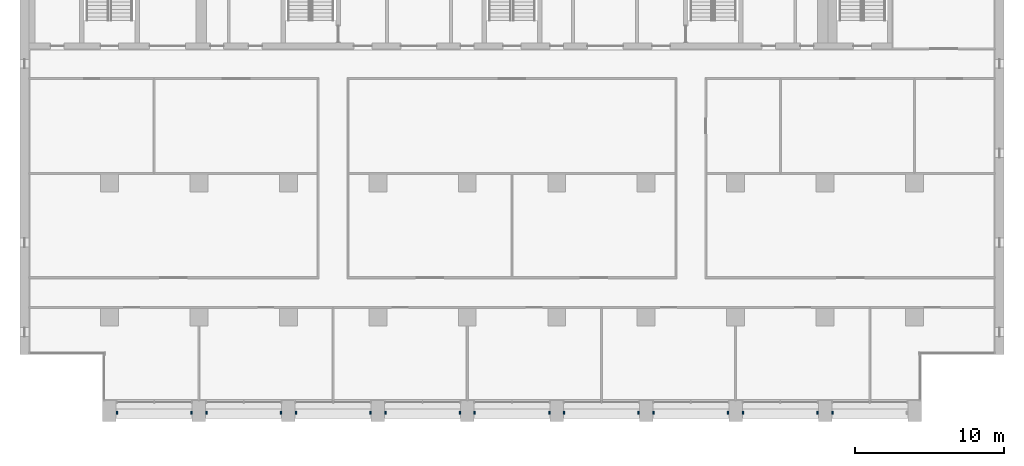
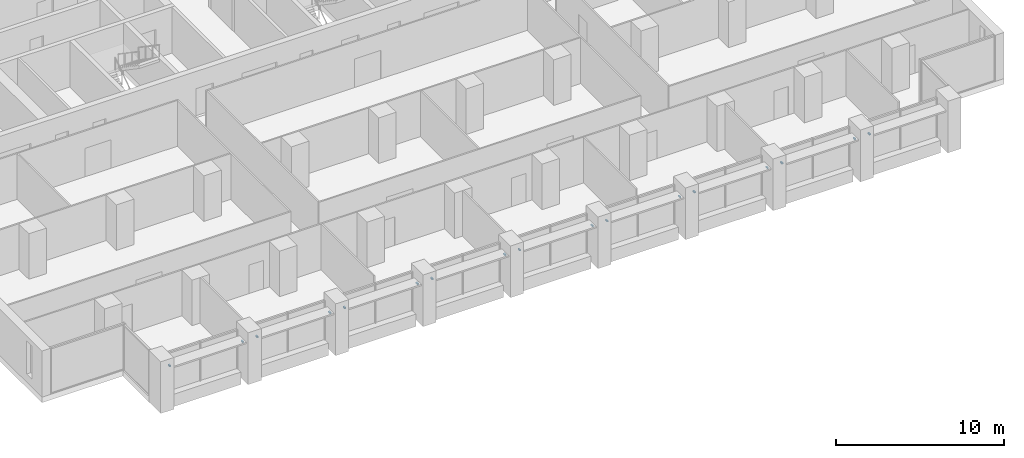
# One storey, part 14 of 17: 17 discrete accessories.
"""IFC4 building model written with IfcOpenShell, lengths in metres."""

from ifc_helpers import new_model, si_unit, direction, frame, origin, origin_2d, place, context, subcontext, project, spatial, rectangle, extrude, element, save


model = new_model("IFC4")

# Units and contexts
model_context = context("Model", 3, precision=1e-05, world=origin(), true_north=direction((0.0, 1.0)))
body_context = subcontext(model_context, "Body", "Model", "MODEL_VIEW")
ifc_project = project(units=[si_unit("LENGTHUNIT", "METRE"), si_unit("AREAUNIT", "SQUARE_METRE"), si_unit("VOLUMEUNIT", "CUBIC_METRE"), si_unit("PLANEANGLEUNIT", "RADIAN"), si_unit("MASSUNIT", "GRAM", prefix="KILO")], contexts=[model_context])

# Site, building, storey
site_placement = place(None, origin())
site = spatial("IfcSite", under=ifc_project, at=site_placement, CompositionType="ELEMENT")
building_placement = place(site_placement, origin())
building = spatial("IfcBuilding", under=site, at=building_placement, Name="Calvaro Tower", CompositionType="ELEMENT")
storey_placement = place(building_placement, frame((0.0, 0.0, 174.25)))
storey = spatial("IfcBuildingStorey", under=building, at=storey_placement, Name="L43", CompositionType="ELEMENT", Elevation=174.25)

# Discrete accessories
for number, where, z_axis, x_axis, name in (
    (1, (12.5, 3.60009765625, 2.349853515625), (0.0, 0.0, 1.0), (1.0, 0.0, 0.0), "Brise-soleil bracket"),
    (2, (17.5, 3.60009765625, 2.349853515625), (0.0, 0.0, 1.0), (1.0, 0.0, 0.0), "Brise-soleil bracket"),
    (3, (18.5, 3.60009765625, 2.349853515625), (0.0, 0.0, 1.0), (1.0, 0.0, 0.0), "Brise-soleil bracket"),
    (4, (23.5, 3.60009765625, 2.349853515625), (0.0, 0.0, 1.0), (1.0, 0.0, 0.0), "Brise-soleil bracket"),
    (5, (24.5, 3.60009765625, 2.349853515625), (0.0, 0.0, 1.0), (1.0, 0.0, 0.0), "Brise-soleil bracket"),
    (6, (29.5, 3.60009765625, 2.349853515625), (0.0, 0.0, 1.0), (1.0, 0.0, 0.0), "Brise-soleil bracket"),
    (7, (30.5, 3.60009765625, 2.349853515625), (0.0, 0.0, 1.0), (1.0, 0.0, 0.0), "Brise-soleil bracket"),
    (8, (35.5, 3.60009765625, 2.349853515625), (0.0, 0.0, 1.0), (1.0, 0.0, 0.0), "Brise-soleil bracket"),
    (9, (36.5, 3.60009765625, 2.349853515625), (0.0, 0.0, 1.0), (1.0, 0.0, 0.0), "Brise-soleil bracket"),
    (10, (41.5, 3.60009765625, 2.349853515625), (0.0, 0.0, 1.0), (1.0, 0.0, 0.0), "Brise-soleil bracket"),
    (11, (42.5, 3.60009765625, 2.349853515625), (0.0, 0.0, 1.0), (1.0, 0.0, 0.0), "Brise-soleil bracket"),
    (12, (47.5, 3.60009765625, 2.349853515625), (0.0, 0.0, 1.0), (1.0, 0.0, 0.0), "Brise-soleil bracket"),
    (13, (48.5, 3.60009765625, 2.349853515625), (0.0, 0.0, 1.0), (1.0, 0.0, 0.0), "Brise-soleil bracket"),
    (14, (53.5, 3.60009765625, 2.349853515625), (0.0, 0.0, 1.0), (1.0, 0.0, 0.0), "Brise-soleil bracket"),
    (15, (54.5, 3.60009765625, 2.349853515625), (0.0, 0.0, 1.0), (1.0, 0.0, 0.0), "Brise-soleil bracket"),
    (16, (59.5, 3.60009765625, 2.349853515625), (0.0, 0.0, 1.0), (1.0, 0.0, 0.0), "Brise-soleil bracket"),
    (17, (60.5, 3.60009765625, 2.349853515625), (0.0, 0.0, 1.0), (1.0, 0.0, 0.0), "Brise-soleil bracket"),
):
    element("IfcDiscreteAccessory", number, at=place(storey_placement, frame(where, z_axis=z_axis, x_axis=x_axis)), inside=storey, Name=name, PredefinedType="BRACKET", context=body_context, shape_type="SweptSolid", body=[
        extrude(rectangle(XDim=0.10009765625, YDim=0.199951171875, at=origin_2d()), origin(), (0.0, 0.0, 1.0), 0.10009765625),
    ])

save(model, "model.ifc")
